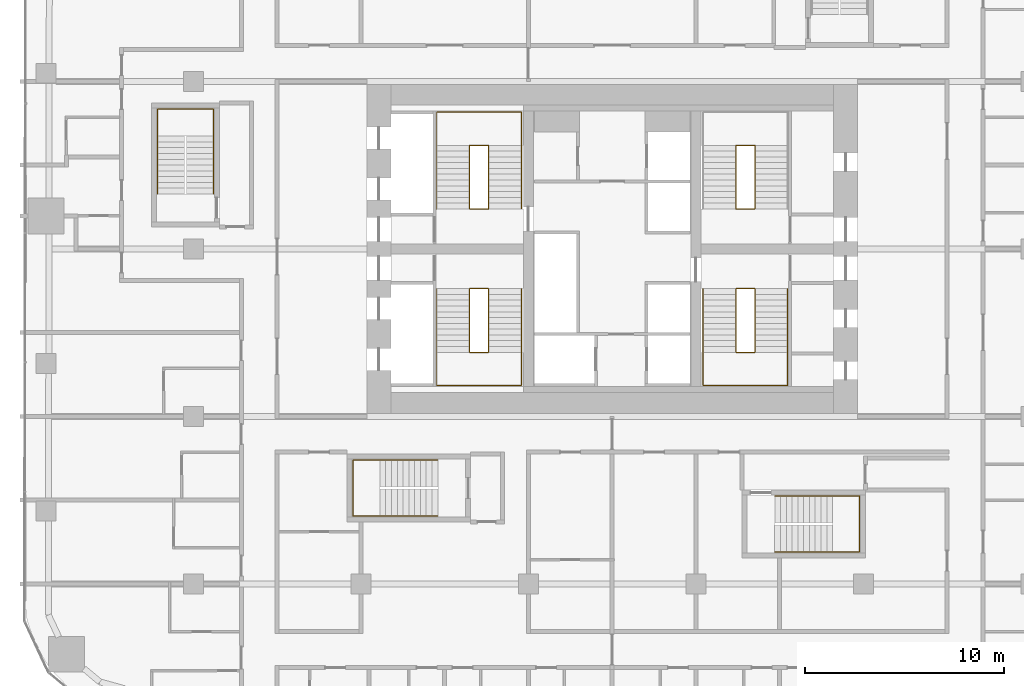
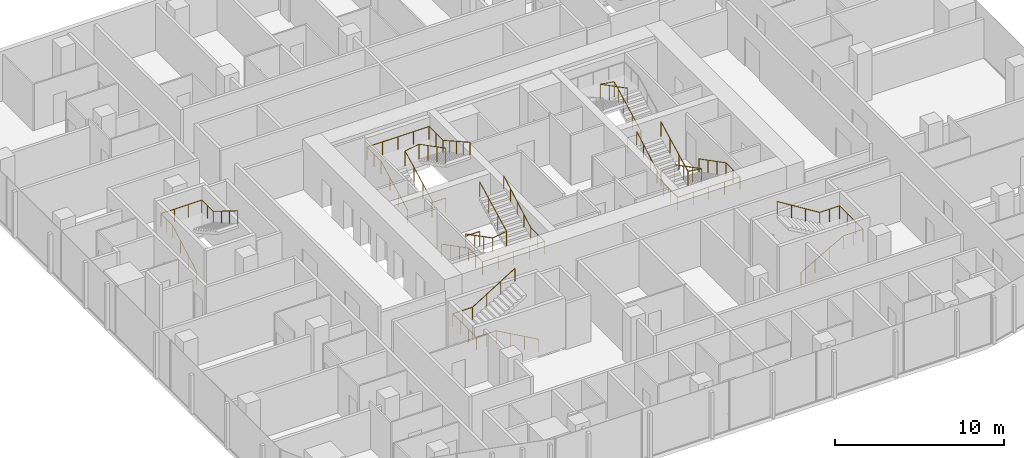
# One storey, part 25 of 26: 10 railings.
"""IFC4 building model written with IfcOpenShell, lengths in metres."""

from ifc_helpers import new_model, si_unit, direction, frame, origin, origin_2d, place, context, subcontext, project, spatial, circle, extrude, material, type_object, element, save


model = new_model("IFC4")

# Units and contexts
model_context = context("Model", 3, precision=1e-05, world=origin(), true_north=direction((0.0, 1.0)))
body_context = subcontext(model_context, "Body", "Model", "MODEL_VIEW")
ifc_project = project(units=[si_unit("LENGTHUNIT", "METRE"), si_unit("AREAUNIT", "SQUARE_METRE"), si_unit("VOLUMEUNIT", "CUBIC_METRE"), si_unit("PLANEANGLEUNIT", "RADIAN"), si_unit("MASSUNIT", "GRAM", prefix="KILO")], contexts=[model_context])

# Site, building, storey
site_placement = place(None, origin())
site = spatial("IfcSite", under=ifc_project, at=site_placement, CompositionType="ELEMENT")
building_placement = place(site_placement, origin())
building = spatial("IfcBuilding", under=site, at=building_placement, Name="Marenta Gate Hotel Tower", CompositionType="ELEMENT")
storey_placement = place(building_placement, frame((0.0, 0.0, 43.699951171875)))
storey = spatial("IfcBuildingStorey", under=building, at=storey_placement, Name="L08", CompositionType="ELEMENT", Elevation=43.699951171875)

# Railings
ifc_material_1 = material(Name="Stainless steel", Category="steel")
railing_type_1 = type_object("IfcRailingType", Name="Core stair handrail 950", PredefinedType="HANDRAIL", material=ifc_material_1)
railing_1_placement = place(storey_placement, frame((-8.800048828125, 6.39990234375, 0.150146484375)))
element("IfcRailing", 1, at=railing_1_placement, inside=storey, type_object=railing_type_1, Name="HR-950 L08-KR-ST1-1", PredefinedType="HANDRAIL", context=body_context, shape_type="SweptSolid", body=[
    extrude(circle(Radius=0.02392578125, at=origin_2d()), frame((0.0, 0.0, 0.92578125), z_axis=(0.0, -0.888225295554, 0.459408123936), x_axis=(1.0, 0.0, 0.0)), (0.0, 0.0, 1.0), 3.59130859375),
    extrude(circle(Radius=0.02392578125, at=origin_2d()), frame((0.0, -3.18994140625, 2.57568359375), z_axis=(0.0, -1.0, 0.0), x_axis=(1.0, 0.0, 0.0)), (0.0, 0.0, 1.0), 1.659912109375),
    extrude(circle(Radius=0.02392578125, at=origin_2d()), frame((0.0, -4.849853515625, 2.57568359375), z_axis=(1.0, 0.0, 0.0), x_axis=(0.0, 1.0, 0.0)), (0.0, 0.0, 1.0), 4.25),
    extrude(circle(Radius=0.02392578125, at=origin_2d()), frame((4.25, -4.849853515625, 2.57568359375), z_axis=(0.0, 1.0, 0.0), x_axis=(-1.0, 0.0, 0.0)), (0.0, 0.0, 1.0), 1.659912109375),
    extrude(circle(Radius=0.02392578125, at=origin_2d()), frame((4.25, -3.18994140625, 2.57568359375), z_axis=(0.0, 0.87090897868, 0.491444351738), x_axis=(-1.0, 0.0, 0.0)), (0.0, 0.0, 1.0), 3.662841796875),
    extrude(circle(Radius=0.02099609375, at=origin_2d()), origin(), (0.0, 0.0, 1.0), 0.90185546875),
    extrude(circle(Radius=0.02099609375, at=origin_2d()), frame((0.0, -1.063232421875, 0.550048828125)), (0.0, 0.0, 1.0), 0.90185546875),
    extrude(circle(Radius=0.02099609375, at=origin_2d()), frame((0.0, -2.126708984375, 1.099853515625)), (0.0, 0.0, 1.0), 0.90185546875),
    extrude(circle(Radius=0.02099609375, at=origin_2d()), frame((0.0, -3.18994140625, 1.64990234375)), (0.0, 0.0, 1.0), 0.90185546875),
    extrude(circle(Radius=0.02099609375, at=origin_2d()), frame((0.0, -4.02001953125, 1.64990234375)), (0.0, 0.0, 1.0), 0.90185546875),
    extrude(circle(Radius=0.02099609375, at=origin_2d()), frame((0.0, -4.849853515625, 1.64990234375)), (0.0, 0.0, 1.0), 0.90185546875),
    extrude(circle(Radius=0.02099609375, at=origin_2d()), frame((1.0625, -4.849853515625, 1.64990234375)), (0.0, 0.0, 1.0), 0.90185546875),
    extrude(circle(Radius=0.02099609375, at=origin_2d()), frame((2.125, -4.849853515625, 1.64990234375)), (0.0, 0.0, 1.0), 0.90185546875),
    extrude(circle(Radius=0.02099609375, at=origin_2d()), frame((3.1875, -4.849853515625, 1.64990234375)), (0.0, 0.0, 1.0), 0.90185546875),
    extrude(circle(Radius=0.02099609375, at=origin_2d()), frame((4.25, -4.849853515625, 1.64990234375)), (0.0, 0.0, 1.0), 0.90185546875),
    extrude(circle(Radius=0.02099609375, at=origin_2d()), frame((4.25, -4.02001953125, 1.64990234375)), (0.0, 0.0, 1.0), 0.90185546875),
    extrude(circle(Radius=0.02099609375, at=origin_2d()), frame((4.25, -3.18994140625, 1.64990234375)), (0.0, 0.0, 1.0), 0.90185546875),
    extrude(circle(Radius=0.02099609375, at=origin_2d()), frame((4.25, -2.392578125, 2.099853515625)), (0.0, 0.0, 1.0), 0.90185546875),
    extrude(circle(Radius=0.02099609375, at=origin_2d()), frame((4.25, -1.594970703125, 2.5498046875)), (0.0, 0.0, 1.0), 0.90185546875),
    extrude(circle(Radius=0.02099609375, at=origin_2d()), frame((4.25, -0.79736328125, 3.0)), (0.0, 0.0, 1.0), 0.90185546875),
    extrude(circle(Radius=0.02099609375, at=origin_2d()), frame((4.25, 0.0, 3.449951171875)), (0.0, 0.0, 1.0), 0.90185546875),
])
railing_2_placement = place(storey_placement, frame((-8.800048828125, 10.39990234375, 0.150146484375)))
element("IfcRailing", 2, at=railing_2_placement, inside=storey, type_object=railing_type_1, Name="HR-950 L08-KR-ST2-1", PredefinedType="HANDRAIL", context=body_context, shape_type="SweptSolid", body=[
    extrude(circle(Radius=0.02392578125, at=origin_2d()), frame((0.0, 0.0, 0.92578125), z_axis=(0.0, 0.888239641807, 0.459380385653), x_axis=(-1.0, 0.0, 0.0)), (0.0, 0.0, 1.0), 3.591552734375),
    extrude(circle(Radius=0.02392578125, at=origin_2d()), frame((0.0, 3.190185546875, 2.57568359375), z_axis=(0.0, 1.0, 0.0), x_axis=(-1.0, 0.0, 0.0)), (0.0, 0.0, 1.0), 1.659912109375),
    extrude(circle(Radius=0.02392578125, at=origin_2d()), frame((0.0, 4.85009765625, 2.57568359375), z_axis=(1.0, 0.0, 0.0), x_axis=(0.0, 1.0, 0.0)), (0.0, 0.0, 1.0), 4.25),
    extrude(circle(Radius=0.02392578125, at=origin_2d()), frame((4.25, 4.85009765625, 2.57568359375), z_axis=(0.0, -1.0, 0.0), x_axis=(1.0, 0.0, 0.0)), (0.0, 0.0, 1.0), 1.659912109375),
    extrude(circle(Radius=0.02392578125, at=origin_2d()), frame((4.25, 3.190185546875, 2.57568359375), z_axis=(0.0, -0.870925075533, 0.491415824742), x_axis=(1.0, 0.0, 0.0)), (0.0, 0.0, 1.0), 3.6630859375),
    extrude(circle(Radius=0.02099609375, at=origin_2d()), origin(), (0.0, 0.0, 1.0), 0.90185546875),
    extrude(circle(Radius=0.02099609375, at=origin_2d()), frame((0.0, 1.0634765625, 0.550048828125)), (0.0, 0.0, 1.0), 0.90185546875),
    extrude(circle(Radius=0.02099609375, at=origin_2d()), frame((0.0, 2.126708984375, 1.099853515625)), (0.0, 0.0, 1.0), 0.90185546875),
    extrude(circle(Radius=0.02099609375, at=origin_2d()), frame((0.0, 3.190185546875, 1.64990234375)), (0.0, 0.0, 1.0), 0.90185546875),
    extrude(circle(Radius=0.02099609375, at=origin_2d()), frame((0.0, 4.02001953125, 1.64990234375)), (0.0, 0.0, 1.0), 0.90185546875),
    extrude(circle(Radius=0.02099609375, at=origin_2d()), frame((0.0, 4.85009765625, 1.64990234375)), (0.0, 0.0, 1.0), 0.90185546875),
    extrude(circle(Radius=0.02099609375, at=origin_2d()), frame((1.0625, 4.85009765625, 1.64990234375)), (0.0, 0.0, 1.0), 0.90185546875),
    extrude(circle(Radius=0.02099609375, at=origin_2d()), frame((2.125, 4.85009765625, 1.64990234375)), (0.0, 0.0, 1.0), 0.90185546875),
    extrude(circle(Radius=0.02099609375, at=origin_2d()), frame((3.1875, 4.85009765625, 1.64990234375)), (0.0, 0.0, 1.0), 0.90185546875),
    extrude(circle(Radius=0.02099609375, at=origin_2d()), frame((4.25, 4.85009765625, 1.64990234375)), (0.0, 0.0, 1.0), 0.90185546875),
    extrude(circle(Radius=0.02099609375, at=origin_2d()), frame((4.25, 4.02001953125, 1.64990234375)), (0.0, 0.0, 1.0), 0.90185546875),
    extrude(circle(Radius=0.02099609375, at=origin_2d()), frame((4.25, 3.190185546875, 1.64990234375)), (0.0, 0.0, 1.0), 0.90185546875),
    extrude(circle(Radius=0.02099609375, at=origin_2d()), frame((4.25, 2.392578125, 2.099853515625)), (0.0, 0.0, 1.0), 0.90185546875),
    extrude(circle(Radius=0.02099609375, at=origin_2d()), frame((4.25, 1.59521484375, 2.5498046875)), (0.0, 0.0, 1.0), 0.90185546875),
    extrude(circle(Radius=0.02099609375, at=origin_2d()), frame((4.25, 0.797607421875, 3.0)), (0.0, 0.0, 1.0), 0.90185546875),
    extrude(circle(Radius=0.02099609375, at=origin_2d()), frame((4.25, 0.0, 3.449951171875)), (0.0, 0.0, 1.0), 0.90185546875),
])
railing_3_placement = place(storey_placement, frame((8.800048828125, 6.39990234375, 0.150146484375)))
element("IfcRailing", 3, at=railing_3_placement, inside=storey, type_object=railing_type_1, Name="HR-950 L08-KR-ST3-1", PredefinedType="HANDRAIL", context=body_context, shape_type="SweptSolid", body=[
    extrude(circle(Radius=0.02392578125, at=origin_2d()), frame((0.0, 0.0, 0.92578125), z_axis=(0.0, -0.888225295554, 0.459408123936), x_axis=(1.0, 0.0, 0.0)), (0.0, 0.0, 1.0), 3.59130859375),
    extrude(circle(Radius=0.02392578125, at=origin_2d()), frame((0.0, -3.18994140625, 2.57568359375), z_axis=(0.0, -1.0, 0.0), x_axis=(1.0, 0.0, 0.0)), (0.0, 0.0, 1.0), 1.659912109375),
    extrude(circle(Radius=0.02392578125, at=origin_2d()), frame((0.0, -4.849853515625, 2.57568359375), z_axis=(-1.0, 0.0, 0.0), x_axis=(0.0, -1.0, 0.0)), (0.0, 0.0, 1.0), 4.25),
    extrude(circle(Radius=0.02392578125, at=origin_2d()), frame((-4.25, -4.849853515625, 2.57568359375), z_axis=(0.0, 1.0, 0.0), x_axis=(-1.0, 0.0, 0.0)), (0.0, 0.0, 1.0), 1.659912109375),
    extrude(circle(Radius=0.02392578125, at=origin_2d()), frame((-4.25, -3.18994140625, 2.57568359375), z_axis=(0.0, 0.87090897868, 0.491444351738), x_axis=(-1.0, 0.0, 0.0)), (0.0, 0.0, 1.0), 3.662841796875),
    extrude(circle(Radius=0.02099609375, at=origin_2d()), origin(), (0.0, 0.0, 1.0), 0.90185546875),
    extrude(circle(Radius=0.02099609375, at=origin_2d()), frame((0.0, -1.063232421875, 0.550048828125)), (0.0, 0.0, 1.0), 0.90185546875),
    extrude(circle(Radius=0.02099609375, at=origin_2d()), frame((0.0, -2.126708984375, 1.099853515625)), (0.0, 0.0, 1.0), 0.90185546875),
    extrude(circle(Radius=0.02099609375, at=origin_2d()), frame((0.0, -3.18994140625, 1.64990234375)), (0.0, 0.0, 1.0), 0.90185546875),
    extrude(circle(Radius=0.02099609375, at=origin_2d()), frame((0.0, -4.02001953125, 1.64990234375)), (0.0, 0.0, 1.0), 0.90185546875),
    extrude(circle(Radius=0.02099609375, at=origin_2d()), frame((0.0, -4.849853515625, 1.64990234375)), (0.0, 0.0, 1.0), 0.90185546875),
    extrude(circle(Radius=0.02099609375, at=origin_2d()), frame((-1.0625, -4.849853515625, 1.64990234375)), (0.0, 0.0, 1.0), 0.90185546875),
    extrude(circle(Radius=0.02099609375, at=origin_2d()), frame((-2.125, -4.849853515625, 1.64990234375)), (0.0, 0.0, 1.0), 0.90185546875),
    extrude(circle(Radius=0.02099609375, at=origin_2d()), frame((-3.1875, -4.849853515625, 1.64990234375)), (0.0, 0.0, 1.0), 0.90185546875),
    extrude(circle(Radius=0.02099609375, at=origin_2d()), frame((-4.25, -4.849853515625, 1.64990234375)), (0.0, 0.0, 1.0), 0.90185546875),
    extrude(circle(Radius=0.02099609375, at=origin_2d()), frame((-4.25, -4.02001953125, 1.64990234375)), (0.0, 0.0, 1.0), 0.90185546875),
    extrude(circle(Radius=0.02099609375, at=origin_2d()), frame((-4.25, -3.18994140625, 1.64990234375)), (0.0, 0.0, 1.0), 0.90185546875),
    extrude(circle(Radius=0.02099609375, at=origin_2d()), frame((-4.25, -2.392578125, 2.099853515625)), (0.0, 0.0, 1.0), 0.90185546875),
    extrude(circle(Radius=0.02099609375, at=origin_2d()), frame((-4.25, -1.594970703125, 2.5498046875)), (0.0, 0.0, 1.0), 0.90185546875),
    extrude(circle(Radius=0.02099609375, at=origin_2d()), frame((-4.25, -0.79736328125, 3.0)), (0.0, 0.0, 1.0), 0.90185546875),
    extrude(circle(Radius=0.02099609375, at=origin_2d()), frame((-4.25, 0.0, 3.449951171875)), (0.0, 0.0, 1.0), 0.90185546875),
])
railing_4_placement = place(storey_placement, frame((8.14990234375, -6.800048828125, 0.16357421875)))
element("IfcRailing", 4, at=railing_4_placement, inside=storey, type_object=railing_type_1, Name="HR-950 L08-RS-Z1-1-KR-1", PredefinedType="HANDRAIL", context=body_context, shape_type="SweptSolid", body=[
    extrude(circle(Radius=0.02392578125, at=origin_2d()), frame((0.0, 0.0, 0.92578125), z_axis=(0.870914908162, 0.0, 0.491433843708), x_axis=(0.0, 1.0, 0.0)), (0.0, 0.0, 1.0), 3.330078125),
    extrude(circle(Radius=0.02392578125, at=origin_2d()), frame((2.900146484375, 0.0, 2.5625), z_axis=(1.0, 0.0, 0.0), x_axis=(0.0, 1.0, 0.0)), (0.0, 0.0, 1.0), 1.349853515625),
    extrude(circle(Radius=0.02392578125, at=origin_2d()), frame((4.25, 0.0, 2.5625), z_axis=(0.0, 1.0, 0.0), x_axis=(-1.0, 0.0, 0.0)), (0.0, 0.0, 1.0), 2.800048828125),
    extrude(circle(Radius=0.02392578125, at=origin_2d()), frame((4.25, 2.800048828125, 2.5625), z_axis=(-1.0, 0.0, 0.0), x_axis=(0.0, -1.0, 0.0)), (0.0, 0.0, 1.0), 1.349853515625),
    extrude(circle(Radius=0.02392578125, at=origin_2d()), frame((2.900146484375, 2.800048828125, 2.5625), z_axis=(-0.849645691689, 0.0, 0.527353959494), x_axis=(0.0, -1.0, 0.0)), (0.0, 0.0, 1.0), 3.413330078125),
    extrude(circle(Radius=0.02099609375, at=origin_2d()), origin(), (0.0, 0.0, 1.0), 0.90185546875),
    extrude(circle(Radius=0.02099609375, at=origin_2d()), frame((0.966796875, 0.0, 0.54541015625)), (0.0, 0.0, 1.0), 0.90185546875),
    extrude(circle(Radius=0.02099609375, at=origin_2d()), frame((1.933349609375, 0.0, 1.091064453125)), (0.0, 0.0, 1.0), 0.90185546875),
    extrude(circle(Radius=0.02099609375, at=origin_2d()), frame((2.900146484375, 0.0, 1.636474609375)), (0.0, 0.0, 1.0), 0.90185546875),
    extrude(circle(Radius=0.02099609375, at=origin_2d()), frame((3.5751953125, 0.0, 1.636474609375)), (0.0, 0.0, 1.0), 0.90185546875),
    extrude(circle(Radius=0.02099609375, at=origin_2d()), frame((4.25, 0.0, 1.636474609375)), (0.0, 0.0, 1.0), 0.90185546875),
    extrude(circle(Radius=0.02099609375, at=origin_2d()), frame((4.25, 0.933349609375, 1.636474609375)), (0.0, 0.0, 1.0), 0.90185546875),
    extrude(circle(Radius=0.02099609375, at=origin_2d()), frame((4.25, 1.86669921875, 1.636474609375)), (0.0, 0.0, 1.0), 0.90185546875),
    extrude(circle(Radius=0.02099609375, at=origin_2d()), frame((4.25, 2.800048828125, 1.636474609375)), (0.0, 0.0, 1.0), 0.90185546875),
    extrude(circle(Radius=0.02099609375, at=origin_2d()), frame((3.5751953125, 2.800048828125, 1.636474609375)), (0.0, 0.0, 1.0), 0.90185546875),
    extrude(circle(Radius=0.02099609375, at=origin_2d()), frame((2.900146484375, 2.800048828125, 1.636474609375)), (0.0, 0.0, 1.0), 0.90185546875),
    extrude(circle(Radius=0.02099609375, at=origin_2d()), frame((1.933349609375, 2.800048828125, 2.236572265625)), (0.0, 0.0, 1.0), 0.90185546875),
    extrude(circle(Radius=0.02099609375, at=origin_2d()), frame((0.966796875, 2.800048828125, 2.83642578125)), (0.0, 0.0, 1.0), 0.90185546875),
    extrude(circle(Radius=0.02099609375, at=origin_2d()), frame((0.0, 2.800048828125, 3.4365234375)), (0.0, 0.0, 1.0), 0.90185546875),
])
railing_5_placement = place(storey_placement, frame((-8.75, -5.0, 0.16357421875)))
element("IfcRailing", 5, at=railing_5_placement, inside=storey, type_object=railing_type_1, Name="HR-950 L08-RS-Z1-2-KR-1", PredefinedType="HANDRAIL", context=body_context, shape_type="SweptSolid", body=[
    extrude(circle(Radius=0.02392578125, at=origin_2d()), frame((0.0, 0.0, 0.92578125), z_axis=(-0.870897200241, 0.0, 0.491465224214), x_axis=(0.0, -1.0, 0.0)), (0.0, 0.0, 1.0), 3.329833984375),
    extrude(circle(Radius=0.02392578125, at=origin_2d()), frame((-2.89990234375, 0.0, 2.5625), z_axis=(-1.0, 0.0, 0.0), x_axis=(0.0, -1.0, 0.0)), (0.0, 0.0, 1.0), 1.35009765625),
    extrude(circle(Radius=0.02392578125, at=origin_2d()), frame((-4.25, 0.0, 2.5625), z_axis=(0.0, 1.0, 0.0), x_axis=(-1.0, 0.0, 0.0)), (0.0, 0.0, 1.0), 2.800048828125),
    extrude(circle(Radius=0.02392578125, at=origin_2d()), frame((-4.25, 2.800048828125, 2.5625), z_axis=(1.0, 0.0, 0.0), x_axis=(0.0, 1.0, 0.0)), (0.0, 0.0, 1.0), 1.35009765625),
    extrude(circle(Radius=0.02392578125, at=origin_2d()), frame((-2.89990234375, 2.800048828125, 2.5625), z_axis=(0.849625798611, 0.0, 0.527386008853), x_axis=(0.0, 1.0, 0.0)), (0.0, 0.0, 1.0), 3.4130859375),
    extrude(circle(Radius=0.02099609375, at=origin_2d()), origin(), (0.0, 0.0, 1.0), 0.90185546875),
    extrude(circle(Radius=0.02099609375, at=origin_2d()), frame((-0.966552734375, 0.0, 0.54541015625)), (0.0, 0.0, 1.0), 0.90185546875),
    extrude(circle(Radius=0.02099609375, at=origin_2d()), frame((-1.933349609375, 0.0, 1.091064453125)), (0.0, 0.0, 1.0), 0.90185546875),
    extrude(circle(Radius=0.02099609375, at=origin_2d()), frame((-2.89990234375, 0.0, 1.636474609375)), (0.0, 0.0, 1.0), 0.90185546875),
    extrude(circle(Radius=0.02099609375, at=origin_2d()), frame((-3.574951171875, 0.0, 1.636474609375)), (0.0, 0.0, 1.0), 0.90185546875),
    extrude(circle(Radius=0.02099609375, at=origin_2d()), frame((-4.25, 0.0, 1.636474609375)), (0.0, 0.0, 1.0), 0.90185546875),
    extrude(circle(Radius=0.02099609375, at=origin_2d()), frame((-4.25, 0.933349609375, 1.636474609375)), (0.0, 0.0, 1.0), 0.90185546875),
    extrude(circle(Radius=0.02099609375, at=origin_2d()), frame((-4.25, 1.86669921875, 1.636474609375)), (0.0, 0.0, 1.0), 0.90185546875),
    extrude(circle(Radius=0.02099609375, at=origin_2d()), frame((-4.25, 2.800048828125, 1.636474609375)), (0.0, 0.0, 1.0), 0.90185546875),
    extrude(circle(Radius=0.02099609375, at=origin_2d()), frame((-3.574951171875, 2.800048828125, 1.636474609375)), (0.0, 0.0, 1.0), 0.90185546875),
    extrude(circle(Radius=0.02099609375, at=origin_2d()), frame((-2.89990234375, 2.800048828125, 1.636474609375)), (0.0, 0.0, 1.0), 0.90185546875),
    extrude(circle(Radius=0.02099609375, at=origin_2d()), frame((-1.933349609375, 2.800048828125, 2.236572265625)), (0.0, 0.0, 1.0), 0.90185546875),
    extrude(circle(Radius=0.02099609375, at=origin_2d()), frame((-0.966552734375, 2.800048828125, 2.83642578125)), (0.0, 0.0, 1.0), 0.90185546875),
    extrude(circle(Radius=0.02099609375, at=origin_2d()), frame((0.0, 2.800048828125, 3.4365234375)), (0.0, 0.0, 1.0), 0.90185546875),
])
railing_6_placement = place(storey_placement, frame((-22.800048828125, 11.14990234375, 0.16357421875)))
element("IfcRailing", 6, at=railing_6_placement, inside=storey, type_object=railing_type_1, Name="HR-950 L08-RS-Z1-3-KR-1", PredefinedType="HANDRAIL", context=body_context, shape_type="SweptSolid", body=[
    extrude(circle(Radius=0.02392578125, at=origin_2d()), frame((0.0, 0.0, 0.92578125), z_axis=(0.0, 0.870914908162, 0.491433843708), x_axis=(-1.0, 0.0, 0.0)), (0.0, 0.0, 1.0), 3.330078125),
    extrude(circle(Radius=0.02392578125, at=origin_2d()), frame((0.0, 2.900146484375, 2.5625), z_axis=(0.0, 1.0, 0.0), x_axis=(-1.0, 0.0, 0.0)), (0.0, 0.0, 1.0), 1.349853515625),
    extrude(circle(Radius=0.02392578125, at=origin_2d()), frame((0.0, 4.25, 2.5625), z_axis=(1.0, 0.0, 0.0), x_axis=(0.0, 1.0, 0.0)), (0.0, 0.0, 1.0), 2.800048828125),
    extrude(circle(Radius=0.02392578125, at=origin_2d()), frame((2.800048828125, 4.25, 2.5625), z_axis=(0.0, -1.0, 0.0), x_axis=(1.0, 0.0, 0.0)), (0.0, 0.0, 1.0), 1.349853515625),
    extrude(circle(Radius=0.02392578125, at=origin_2d()), frame((2.800048828125, 2.900146484375, 2.5625), z_axis=(0.0, -0.849645691689, 0.527353959494), x_axis=(1.0, 0.0, 0.0)), (0.0, 0.0, 1.0), 3.413330078125),
    extrude(circle(Radius=0.02099609375, at=origin_2d()), origin(), (0.0, 0.0, 1.0), 0.90185546875),
    extrude(circle(Radius=0.02099609375, at=origin_2d()), frame((0.0, 0.966796875, 0.54541015625)), (0.0, 0.0, 1.0), 0.90185546875),
    extrude(circle(Radius=0.02099609375, at=origin_2d()), frame((0.0, 1.933349609375, 1.091064453125)), (0.0, 0.0, 1.0), 0.90185546875),
    extrude(circle(Radius=0.02099609375, at=origin_2d()), frame((0.0, 2.900146484375, 1.636474609375)), (0.0, 0.0, 1.0), 0.90185546875),
    extrude(circle(Radius=0.02099609375, at=origin_2d()), frame((0.0, 3.5751953125, 1.636474609375)), (0.0, 0.0, 1.0), 0.90185546875),
    extrude(circle(Radius=0.02099609375, at=origin_2d()), frame((0.0, 4.25, 1.636474609375)), (0.0, 0.0, 1.0), 0.90185546875),
    extrude(circle(Radius=0.02099609375, at=origin_2d()), frame((0.933349609375, 4.25, 1.636474609375)), (0.0, 0.0, 1.0), 0.90185546875),
    extrude(circle(Radius=0.02099609375, at=origin_2d()), frame((1.86669921875, 4.25, 1.636474609375)), (0.0, 0.0, 1.0), 0.90185546875),
    extrude(circle(Radius=0.02099609375, at=origin_2d()), frame((2.800048828125, 4.25, 1.636474609375)), (0.0, 0.0, 1.0), 0.90185546875),
    extrude(circle(Radius=0.02099609375, at=origin_2d()), frame((2.800048828125, 3.5751953125, 1.636474609375)), (0.0, 0.0, 1.0), 0.90185546875),
    extrude(circle(Radius=0.02099609375, at=origin_2d()), frame((2.800048828125, 2.900146484375, 1.636474609375)), (0.0, 0.0, 1.0), 0.90185546875),
    extrude(circle(Radius=0.02099609375, at=origin_2d()), frame((2.800048828125, 1.933349609375, 2.236572265625)), (0.0, 0.0, 1.0), 0.90185546875),
    extrude(circle(Radius=0.02099609375, at=origin_2d()), frame((2.800048828125, 0.966796875, 2.83642578125)), (0.0, 0.0, 1.0), 0.90185546875),
    extrude(circle(Radius=0.02099609375, at=origin_2d()), frame((2.800048828125, 0.0, 3.4365234375)), (0.0, 0.0, 1.0), 0.90185546875),
])
ifc_material_2 = material(Name="Stainless steel", Category="steel")
railing_type_2 = type_object("IfcRailingType", Name="Core stair well guard 1100", PredefinedType="GUARDRAIL", material=ifc_material_2)
railing_7_placement = place(storey_placement, frame((-6.199951171875, 6.39990234375, 0.0)))
element("IfcRailing", 7, at=railing_7_placement, inside=storey, type_object=railing_type_2, Name="GR-1100 L08-KR-ST1-2", PredefinedType="GUARDRAIL", context=body_context, shape_type="SweptSolid", body=[
    extrude(circle(Radius=0.02392578125, at=origin_2d()), frame((0.0, 0.0, 1.076171875), z_axis=(-1.0, 0.0, 0.0), x_axis=(0.0, -1.0, 0.0)), (0.0, 0.0, 1.0), 0.949951171875),
    extrude(circle(Radius=0.02392578125, at=origin_2d()), frame((-0.949951171875, 0.0, 1.076171875), z_axis=(0.0, 0.0, 1.0), x_axis=(1.0, 0.0, 0.0)), (0.0, 0.0, 1.0), 0.150146484375),
    extrude(circle(Radius=0.02392578125, at=origin_2d()), frame((-0.949951171875, 0.0, 1.22607421875), z_axis=(0.0, -0.888225295554, 0.459408123936), x_axis=(1.0, 0.0, 0.0)), (0.0, 0.0, 1.0), 3.59130859375),
    extrude(circle(Radius=0.02392578125, at=origin_2d()), frame((-0.949951171875, -3.18994140625, 2.8759765625), z_axis=(0.987777369502, 0.0, 0.15587131968), x_axis=(0.0, 1.0, 0.0)), (0.0, 0.0, 1.0), 0.961669921875),
    extrude(circle(Radius=0.02392578125, at=origin_2d()), frame((0.0, -3.18994140625, 3.02587890625), z_axis=(0.0, 0.888197555067, 0.459461753765), x_axis=(-1.0, 0.0, 0.0)), (0.0, 0.0, 1.0), 3.591552734375),
    extrude(circle(Radius=0.02099609375, at=origin_2d()), origin(), (0.0, 0.0, 1.0), 1.052001953125),
    extrude(circle(Radius=0.02099609375, at=origin_2d()), frame((-0.949951171875, 0.0, 0.0)), (0.0, 0.0, 1.0), 1.052001953125),
    extrude(circle(Radius=0.02099609375, at=origin_2d()), frame((-0.949951171875, 0.0, 0.150146484375)), (0.0, 0.0, 1.0), 1.052001953125),
    extrude(circle(Radius=0.02099609375, at=origin_2d()), frame((-0.949951171875, -1.063232421875, 0.7001953125)), (0.0, 0.0, 1.0), 1.052001953125),
    extrude(circle(Radius=0.02099609375, at=origin_2d()), frame((-0.949951171875, -2.126708984375, 1.25)), (0.0, 0.0, 1.0), 1.052001953125),
    extrude(circle(Radius=0.02099609375, at=origin_2d()), frame((-0.949951171875, -3.18994140625, 1.800048828125)), (0.0, 0.0, 1.0), 1.052001953125),
    extrude(circle(Radius=0.02099609375, at=origin_2d()), frame((0.0, -3.18994140625, 1.949951171875)), (0.0, 0.0, 1.0), 1.052001953125),
    extrude(circle(Radius=0.02099609375, at=origin_2d()), frame((0.0, -2.126708984375, 2.5)), (0.0, 0.0, 1.0), 1.052001953125),
    extrude(circle(Radius=0.02099609375, at=origin_2d()), frame((0.0, -1.063232421875, 3.050048828125)), (0.0, 0.0, 1.0), 1.052001953125),
    extrude(circle(Radius=0.02099609375, at=origin_2d()), frame((0.0, 0.0, 3.60009765625)), (0.0, 0.0, 1.0), 1.052001953125),
])
railing_8_placement = place(storey_placement, frame((-6.199951171875, 10.39990234375, 0.0)))
element("IfcRailing", 8, at=railing_8_placement, inside=storey, type_object=railing_type_2, Name="GR-1100 L08-KR-ST2-2", PredefinedType="GUARDRAIL", context=body_context, shape_type="SweptSolid", body=[
    extrude(circle(Radius=0.02392578125, at=origin_2d()), frame((0.0, 0.0, 1.076171875), z_axis=(-1.0, 0.0, 0.0), x_axis=(0.0, -1.0, 0.0)), (0.0, 0.0, 1.0), 0.949951171875),
    extrude(circle(Radius=0.02392578125, at=origin_2d()), frame((-0.949951171875, 0.0, 1.076171875), z_axis=(0.0, 0.0, 1.0), x_axis=(1.0, 0.0, 0.0)), (0.0, 0.0, 1.0), 0.150146484375),
    extrude(circle(Radius=0.02392578125, at=origin_2d()), frame((-0.949951171875, 0.0, 1.22607421875), z_axis=(0.0, 0.888239641807, 0.459380385653), x_axis=(-1.0, 0.0, 0.0)), (0.0, 0.0, 1.0), 3.591552734375),
    extrude(circle(Radius=0.02392578125, at=origin_2d()), frame((-0.949951171875, 3.190185546875, 2.8759765625), z_axis=(0.987777369502, 0.0, 0.15587131968), x_axis=(0.0, 1.0, 0.0)), (0.0, 0.0, 1.0), 0.961669921875),
    extrude(circle(Radius=0.02392578125, at=origin_2d()), frame((0.0, 3.190185546875, 3.02587890625), z_axis=(0.0, -0.888211904222, 0.459434013977), x_axis=(1.0, 0.0, 0.0)), (0.0, 0.0, 1.0), 3.591796875),
    extrude(circle(Radius=0.02099609375, at=origin_2d()), origin(), (0.0, 0.0, 1.0), 1.052001953125),
    extrude(circle(Radius=0.02099609375, at=origin_2d()), frame((-0.949951171875, 0.0, 0.0)), (0.0, 0.0, 1.0), 1.052001953125),
    extrude(circle(Radius=0.02099609375, at=origin_2d()), frame((-0.949951171875, 0.0, 0.150146484375)), (0.0, 0.0, 1.0), 1.052001953125),
    extrude(circle(Radius=0.02099609375, at=origin_2d()), frame((-0.949951171875, 1.0634765625, 0.7001953125)), (0.0, 0.0, 1.0), 1.052001953125),
    extrude(circle(Radius=0.02099609375, at=origin_2d()), frame((-0.949951171875, 2.126708984375, 1.25)), (0.0, 0.0, 1.0), 1.052001953125),
    extrude(circle(Radius=0.02099609375, at=origin_2d()), frame((-0.949951171875, 3.190185546875, 1.800048828125)), (0.0, 0.0, 1.0), 1.052001953125),
    extrude(circle(Radius=0.02099609375, at=origin_2d()), frame((0.0, 3.190185546875, 1.949951171875)), (0.0, 0.0, 1.0), 1.052001953125),
    extrude(circle(Radius=0.02099609375, at=origin_2d()), frame((0.0, 2.126708984375, 2.5)), (0.0, 0.0, 1.0), 1.052001953125),
    extrude(circle(Radius=0.02099609375, at=origin_2d()), frame((0.0, 1.0634765625, 3.050048828125)), (0.0, 0.0, 1.0), 1.052001953125),
    extrude(circle(Radius=0.02099609375, at=origin_2d()), frame((0.0, 0.0, 3.60009765625)), (0.0, 0.0, 1.0), 1.052001953125),
])
railing_9_placement = place(storey_placement, frame((6.199951171875, 6.39990234375, 0.0)))
element("IfcRailing", 9, at=railing_9_placement, inside=storey, type_object=railing_type_2, Name="GR-1100 L08-KR-ST3-2", PredefinedType="GUARDRAIL", context=body_context, shape_type="SweptSolid", body=[
    extrude(circle(Radius=0.02392578125, at=origin_2d()), frame((0.0, 0.0, 1.076171875), z_axis=(1.0, 0.0, 0.0), x_axis=(0.0, 1.0, 0.0)), (0.0, 0.0, 1.0), 0.949951171875),
    extrude(circle(Radius=0.02392578125, at=origin_2d()), frame((0.949951171875, 0.0, 1.076171875), z_axis=(0.0, 0.0, 1.0), x_axis=(1.0, 0.0, 0.0)), (0.0, 0.0, 1.0), 0.150146484375),
    extrude(circle(Radius=0.02392578125, at=origin_2d()), frame((0.949951171875, 0.0, 1.22607421875), z_axis=(0.0, -0.888225295554, 0.459408123936), x_axis=(1.0, 0.0, 0.0)), (0.0, 0.0, 1.0), 3.59130859375),
    extrude(circle(Radius=0.02392578125, at=origin_2d()), frame((0.949951171875, -3.18994140625, 2.8759765625), z_axis=(-0.987777369502, 0.0, 0.15587131968), x_axis=(0.0, -1.0, 0.0)), (0.0, 0.0, 1.0), 0.961669921875),
    extrude(circle(Radius=0.02392578125, at=origin_2d()), frame((0.0, -3.18994140625, 3.02587890625), z_axis=(0.0, 0.888197555067, 0.459461753765), x_axis=(-1.0, 0.0, 0.0)), (0.0, 0.0, 1.0), 3.591552734375),
    extrude(circle(Radius=0.02099609375, at=origin_2d()), origin(), (0.0, 0.0, 1.0), 1.052001953125),
    extrude(circle(Radius=0.02099609375, at=origin_2d()), frame((0.949951171875, 0.0, 0.0)), (0.0, 0.0, 1.0), 1.052001953125),
    extrude(circle(Radius=0.02099609375, at=origin_2d()), frame((0.949951171875, 0.0, 0.150146484375)), (0.0, 0.0, 1.0), 1.052001953125),
    extrude(circle(Radius=0.02099609375, at=origin_2d()), frame((0.949951171875, -1.063232421875, 0.7001953125)), (0.0, 0.0, 1.0), 1.052001953125),
    extrude(circle(Radius=0.02099609375, at=origin_2d()), frame((0.949951171875, -2.126708984375, 1.25)), (0.0, 0.0, 1.0), 1.052001953125),
    extrude(circle(Radius=0.02099609375, at=origin_2d()), frame((0.949951171875, -3.18994140625, 1.800048828125)), (0.0, 0.0, 1.0), 1.052001953125),
    extrude(circle(Radius=0.02099609375, at=origin_2d()), frame((0.0, -3.18994140625, 1.949951171875)), (0.0, 0.0, 1.0), 1.052001953125),
    extrude(circle(Radius=0.02099609375, at=origin_2d()), frame((0.0, -2.126708984375, 2.5)), (0.0, 0.0, 1.0), 1.052001953125),
    extrude(circle(Radius=0.02099609375, at=origin_2d()), frame((0.0, -1.063232421875, 3.050048828125)), (0.0, 0.0, 1.0), 1.052001953125),
    extrude(circle(Radius=0.02099609375, at=origin_2d()), frame((0.0, 0.0, 3.60009765625)), (0.0, 0.0, 1.0), 1.052001953125),
])
railing_10_placement = place(storey_placement, frame((6.199951171875, 10.39990234375, 0.0)))
element("IfcRailing", 10, at=railing_10_placement, inside=storey, type_object=railing_type_2, Name="GR-1100 L08-KR-ST4-2", PredefinedType="GUARDRAIL", context=body_context, shape_type="SweptSolid", body=[
    extrude(circle(Radius=0.02392578125, at=origin_2d()), frame((0.0, 0.0, 1.076171875), z_axis=(1.0, 0.0, 0.0), x_axis=(0.0, 1.0, 0.0)), (0.0, 0.0, 1.0), 0.949951171875),
    extrude(circle(Radius=0.02392578125, at=origin_2d()), frame((0.949951171875, 0.0, 1.076171875), z_axis=(0.0, 0.0, 1.0), x_axis=(1.0, 0.0, 0.0)), (0.0, 0.0, 1.0), 0.150146484375),
    extrude(circle(Radius=0.02392578125, at=origin_2d()), frame((0.949951171875, 0.0, 1.22607421875), z_axis=(0.0, 0.888239641807, 0.459380385653), x_axis=(-1.0, 0.0, 0.0)), (0.0, 0.0, 1.0), 3.591552734375),
    extrude(circle(Radius=0.02392578125, at=origin_2d()), frame((0.949951171875, 3.190185546875, 2.8759765625), z_axis=(-0.987777369502, 0.0, 0.15587131968), x_axis=(0.0, -1.0, 0.0)), (0.0, 0.0, 1.0), 0.961669921875),
    extrude(circle(Radius=0.02392578125, at=origin_2d()), frame((0.0, 3.190185546875, 3.02587890625), z_axis=(0.0, -0.888211904222, 0.459434013977), x_axis=(1.0, 0.0, 0.0)), (0.0, 0.0, 1.0), 3.591796875),
    extrude(circle(Radius=0.02099609375, at=origin_2d()), origin(), (0.0, 0.0, 1.0), 1.052001953125),
    extrude(circle(Radius=0.02099609375, at=origin_2d()), frame((0.949951171875, 0.0, 0.0)), (0.0, 0.0, 1.0), 1.052001953125),
    extrude(circle(Radius=0.02099609375, at=origin_2d()), frame((0.949951171875, 0.0, 0.150146484375)), (0.0, 0.0, 1.0), 1.052001953125),
    extrude(circle(Radius=0.02099609375, at=origin_2d()), frame((0.949951171875, 1.0634765625, 0.7001953125)), (0.0, 0.0, 1.0), 1.052001953125),
    extrude(circle(Radius=0.02099609375, at=origin_2d()), frame((0.949951171875, 2.126708984375, 1.25)), (0.0, 0.0, 1.0), 1.052001953125),
    extrude(circle(Radius=0.02099609375, at=origin_2d()), frame((0.949951171875, 3.190185546875, 1.800048828125)), (0.0, 0.0, 1.0), 1.052001953125),
    extrude(circle(Radius=0.02099609375, at=origin_2d()), frame((0.0, 3.190185546875, 1.949951171875)), (0.0, 0.0, 1.0), 1.052001953125),
    extrude(circle(Radius=0.02099609375, at=origin_2d()), frame((0.0, 2.126708984375, 2.5)), (0.0, 0.0, 1.0), 1.052001953125),
    extrude(circle(Radius=0.02099609375, at=origin_2d()), frame((0.0, 1.0634765625, 3.050048828125)), (0.0, 0.0, 1.0), 1.052001953125),
    extrude(circle(Radius=0.02099609375, at=origin_2d()), frame((0.0, 0.0, 3.60009765625)), (0.0, 0.0, 1.0), 1.052001953125),
])

save(model, "model.ifc")
